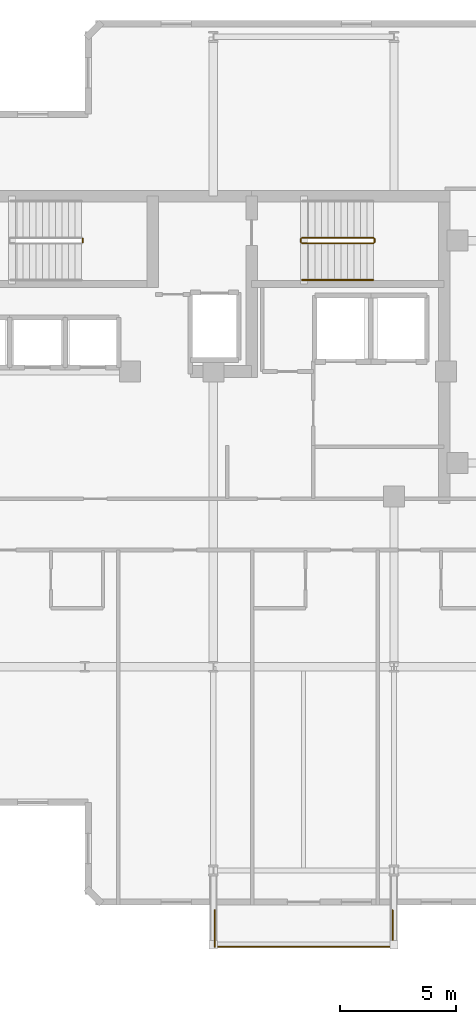
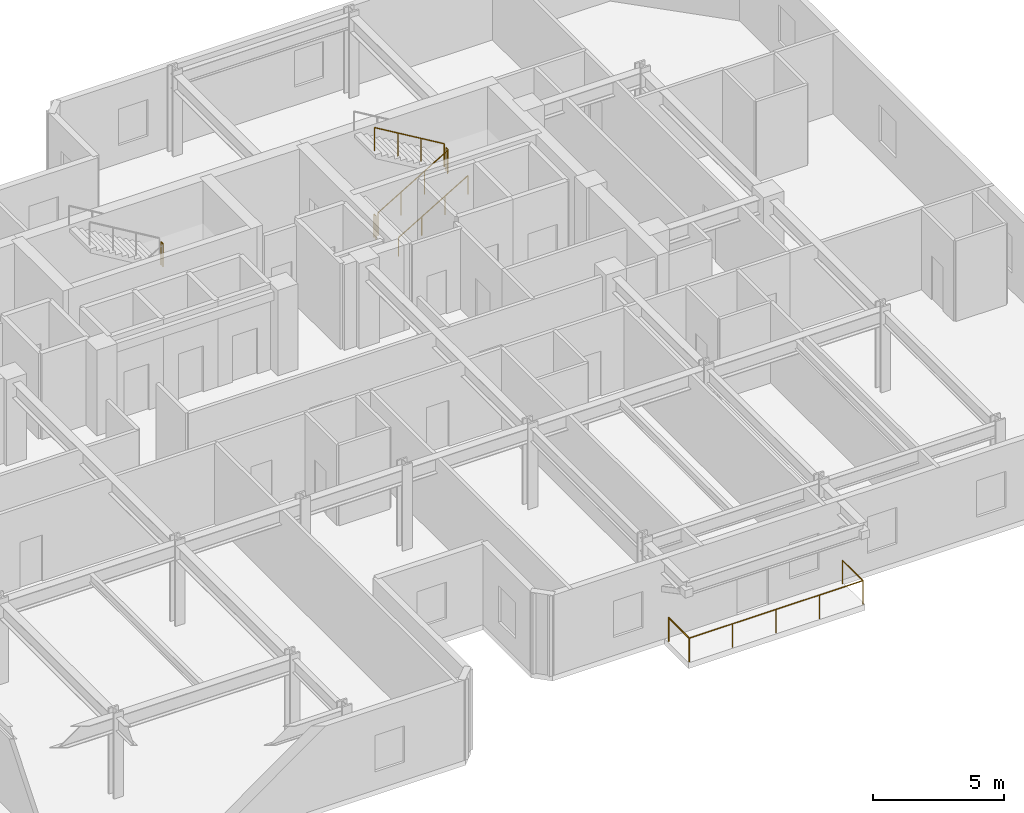
# One storey, part 10 of 11: 8 railings.
"""IFC4 building model written with IfcOpenShell, lengths in metres."""

from ifc_helpers import new_model, si_unit, direction, frame, origin, origin_2d, place, context, subcontext, project, spatial, circle, extrude, material, type_object, element, save


model = new_model("IFC4")

# Units and contexts
model_context = context("Model", 3, precision=1e-05, world=origin(), true_north=direction((0.0, 1.0)))
body_context = subcontext(model_context, "Body", "Model", "MODEL_VIEW")
ifc_project = project(units=[si_unit("LENGTHUNIT", "METRE"), si_unit("AREAUNIT", "SQUARE_METRE"), si_unit("VOLUMEUNIT", "CUBIC_METRE"), si_unit("PLANEANGLEUNIT", "RADIAN"), si_unit("MASSUNIT", "GRAM", prefix="KILO")], contexts=[model_context])

# Site, building, storey
site_placement = place(None, origin())
site = spatial("IfcSite", under=ifc_project, at=site_placement, CompositionType="ELEMENT")
building_placement = place(site_placement, origin())
building = spatial("IfcBuilding", under=site, at=building_placement, Name="Kestravale Grand Hotel", CompositionType="ELEMENT")
storey_placement = place(building_placement, frame((0.0, 0.0, 249.39990234375)))
storey = spatial("IfcBuildingStorey", under=building, at=storey_placement, Name="L62", CompositionType="ELEMENT", Elevation=249.39990234375)

# Railings
ifc_material_1 = material(Name="Champagne-bronze stainless steel and laminated glass guard", Category="steel")
railing_type_1 = type_object("IfcRailingType", Name="RL-EXT-1100", PredefinedType="GUARDRAIL", material=ifc_material_1)
railing_1_placement = place(storey_placement, frame((46.860107421875, 7.909912109375, 0.0)))
element("IfcRailing", 1, at=railing_1_placement, inside=storey, type_object=railing_type_1, Name="L62 outdoor terrace guard 1", PredefinedType="GUARDRAIL", context=body_context, shape_type="SweptSolid", body=[
    extrude(circle(Radius=0.02392578125, at=origin_2d()), frame((0.0, 0.0, 1.09619140625), z_axis=(0.0, 1.0, 0.0), x_axis=(-1.0, 0.0, 0.0)), (0.0, 0.0, 1.0), 1.570068359375),
    extrude(circle(Radius=0.02099609375, at=origin_2d()), origin(), (0.0, 0.0, 1.0), 1.072021484375),
    extrude(circle(Radius=0.02099609375, at=origin_2d()), frame((0.0, 1.570068359375, 0.0)), (0.0, 0.0, 1.0), 1.072021484375),
])
railing_2_placement = place(storey_placement, frame((54.5400390625, 9.47998046875, 0.0)))
element("IfcRailing", 2, at=railing_2_placement, inside=storey, type_object=railing_type_1, Name="L62 outdoor terrace guard 2", PredefinedType="GUARDRAIL", context=body_context, shape_type="SweptSolid", body=[
    extrude(circle(Radius=0.02392578125, at=origin_2d()), frame((0.0, 0.0, 1.09619140625), z_axis=(0.0, -1.0, 0.0), x_axis=(1.0, 0.0, 0.0)), (0.0, 0.0, 1.0), 1.570068359375),
    extrude(circle(Radius=0.02392578125, at=origin_2d()), frame((0.0, -1.570068359375, 1.09619140625), z_axis=(-1.0, 0.0, 0.0), x_axis=(0.0, -1.0, 0.0)), (0.0, 0.0, 1.0), 7.679931640625),
    extrude(circle(Radius=0.02099609375, at=origin_2d()), origin(), (0.0, 0.0, 1.0), 1.072021484375),
    extrude(circle(Radius=0.02099609375, at=origin_2d()), frame((0.0, -1.570068359375, 0.0)), (0.0, 0.0, 1.0), 1.072021484375),
    extrude(circle(Radius=0.02099609375, at=origin_2d()), frame((-1.919921875, -1.570068359375, 0.0)), (0.0, 0.0, 1.0), 1.072021484375),
    extrude(circle(Radius=0.02099609375, at=origin_2d()), frame((-3.83984375, -1.570068359375, 0.0)), (0.0, 0.0, 1.0), 1.072021484375),
    extrude(circle(Radius=0.02099609375, at=origin_2d()), frame((-5.760009765625, -1.570068359375, 0.0)), (0.0, 0.0, 1.0), 1.072021484375),
    extrude(circle(Radius=0.02099609375, at=origin_2d()), frame((-7.679931640625, -1.570068359375, 0.0)), (0.0, 0.0, 1.0), 1.072021484375),
])
ifc_material_2 = material(Name="Painted tubular steel stair well guard", Category="steel")
railing_type_2 = type_object("IfcRailingType", Name="RL-ST-GRD1100", PredefinedType="GUARDRAIL", material=ifc_material_2)
railing_3_placement = place(storey_placement, frame((41.159912109375, 38.330078125, 2.0)))
element("IfcRailing", 3, at=railing_3_placement, inside=storey, type_object=railing_type_2, Name="L62 ST-2 stair guard 2", PredefinedType="GUARDRAIL", context=body_context, shape_type="SweptSolid", body=[
    extrude(circle(Radius=0.02392578125, at=origin_2d()), frame((0.0, 0.0, 1.076171875), z_axis=(0.0, 1.0, 0.0), x_axis=(-1.0, 0.0, 0.0)), (0.0, 0.0, 1.0), 0.14990234375),
    extrude(circle(Radius=0.02099609375, at=origin_2d()), origin(), (0.0, 0.0, 1.0), 1.052001953125),
    extrude(circle(Radius=0.02099609375, at=origin_2d()), frame((0.0, 0.14990234375, 0.0)), (0.0, 0.0, 1.0), 1.052001953125),
])
railing_4_placement = place(storey_placement, frame((50.6298828125, 38.280029296875, 0.166748046875)))
element("IfcRailing", 4, at=railing_4_placement, inside=storey, type_object=railing_type_2, Name="L62 ST-3 stair guard 1", PredefinedType="GUARDRAIL", context=body_context, shape_type="SweptSolid", body=[
    extrude(circle(Radius=0.02392578125, at=origin_2d()), frame((0.0, 0.0, 1.076171875), z_axis=(0.859308565015, 0.0, 0.511457515432), x_axis=(0.0, 1.0, 0.0)), (0.0, 0.0, 1.0), 3.58447265625),
    extrude(circle(Radius=0.02099609375, at=origin_2d()), origin(), (0.0, 0.0, 1.0), 1.052001953125),
    extrude(circle(Radius=0.02099609375, at=origin_2d()), frame((1.026611328125, 0.0, 0.611083984375)), (0.0, 0.0, 1.0), 1.052001953125),
    extrude(circle(Radius=0.02099609375, at=origin_2d()), frame((2.053466796875, 0.0, 1.22216796875)), (0.0, 0.0, 1.0), 1.052001953125),
    extrude(circle(Radius=0.02099609375, at=origin_2d()), frame((3.080078125, 0.0, 1.833251953125)), (0.0, 0.0, 1.0), 1.052001953125),
])
railing_5_placement = place(storey_placement, frame((53.760009765625, 38.330078125, 2.0)))
element("IfcRailing", 5, at=railing_5_placement, inside=storey, type_object=railing_type_2, Name="L62 ST-3 stair guard 2", PredefinedType="GUARDRAIL", context=body_context, shape_type="SweptSolid", body=[
    extrude(circle(Radius=0.02392578125, at=origin_2d()), frame((0.0, 0.0, 1.076171875), z_axis=(0.0, 1.0, 0.0), x_axis=(-1.0, 0.0, 0.0)), (0.0, 0.0, 1.0), 0.14990234375),
    extrude(circle(Radius=0.02099609375, at=origin_2d()), origin(), (0.0, 0.0, 1.0), 1.052001953125),
    extrude(circle(Radius=0.02099609375, at=origin_2d()), frame((0.0, 0.14990234375, 0.0)), (0.0, 0.0, 1.0), 1.052001953125),
])
railing_6_placement = place(storey_placement, frame((53.7099609375, 38.530029296875, 2.166748046875)))
element("IfcRailing", 6, at=railing_6_placement, inside=storey, type_object=railing_type_2, Name="L62 ST-3 stair guard 3", PredefinedType="GUARDRAIL", context=body_context, shape_type="SweptSolid", body=[
    extrude(circle(Radius=0.02392578125, at=origin_2d()), frame((0.0, 0.0, 1.076171875), z_axis=(-0.859308565015, 0.0, 0.511457515432), x_axis=(0.0, -1.0, 0.0)), (0.0, 0.0, 1.0), 3.58447265625),
    extrude(circle(Radius=0.02099609375, at=origin_2d()), origin(), (0.0, 0.0, 1.0), 1.052001953125),
    extrude(circle(Radius=0.02099609375, at=origin_2d()), frame((-1.026611328125, 0.0, 0.611083984375)), (0.0, 0.0, 1.0), 1.052001953125),
    extrude(circle(Radius=0.02099609375, at=origin_2d()), frame((-2.053466796875, 0.0, 1.22216796875)), (0.0, 0.0, 1.0), 1.052001953125),
    extrude(circle(Radius=0.02099609375, at=origin_2d()), frame((-3.080078125, 0.0, 1.833251953125)), (0.0, 0.0, 1.0), 1.052001953125),
])
railing_7_placement = place(storey_placement, frame((50.580078125, 38.330078125, 0.0)))
element("IfcRailing", 7, at=railing_7_placement, inside=storey, type_object=railing_type_2, Name="L62 ST-3 stair guard 4", PredefinedType="GUARDRAIL", context=body_context, shape_type="SweptSolid", body=[
    extrude(circle(Radius=0.02392578125, at=origin_2d()), frame((0.0, 0.0, 1.076171875), z_axis=(0.0, 1.0, 0.0), x_axis=(-1.0, 0.0, 0.0)), (0.0, 0.0, 1.0), 0.14990234375),
    extrude(circle(Radius=0.02099609375, at=origin_2d()), origin(), (0.0, 0.0, 1.0), 1.052001953125),
    extrude(circle(Radius=0.02099609375, at=origin_2d()), frame((0.0, 0.14990234375, 0.0)), (0.0, 0.0, 1.0), 1.052001953125),
])
ifc_material_3 = material(Name="Brushed stainless steel wall handrail", Category="steel")
railing_type_3 = type_object("IfcRailingType", Name="RL-ST-HND900", PredefinedType="HANDRAIL", material=ifc_material_3)
railing_8_placement = place(storey_placement, frame((50.6298828125, 36.699951171875, 0.166748046875)))
element("IfcRailing", 8, at=railing_8_placement, inside=storey, type_object=railing_type_3, Name="L62 ST-3 stair handrail 1", PredefinedType="HANDRAIL", context=body_context, shape_type="SweptSolid", body=[
    extrude(circle(Radius=0.02392578125, at=origin_2d()), frame((0.0, 0.0, 0.8759765625), z_axis=(0.859308565015, 0.0, 0.511457515432), x_axis=(0.0, 1.0, 0.0)), (0.0, 0.0, 1.0), 3.58447265625),
    extrude(circle(Radius=0.02099609375, at=origin_2d()), origin(), (0.0, 0.0, 1.0), 0.851806640625),
    extrude(circle(Radius=0.02099609375, at=origin_2d()), frame((1.026611328125, 0.0, 0.611083984375)), (0.0, 0.0, 1.0), 0.851806640625),
    extrude(circle(Radius=0.02099609375, at=origin_2d()), frame((2.053466796875, 0.0, 1.22216796875)), (0.0, 0.0, 1.0), 0.851806640625),
    extrude(circle(Radius=0.02099609375, at=origin_2d()), frame((3.080078125, 0.0, 1.833251953125)), (0.0, 0.0, 1.0), 0.851806640625),
])

save(model, "model.ifc")
